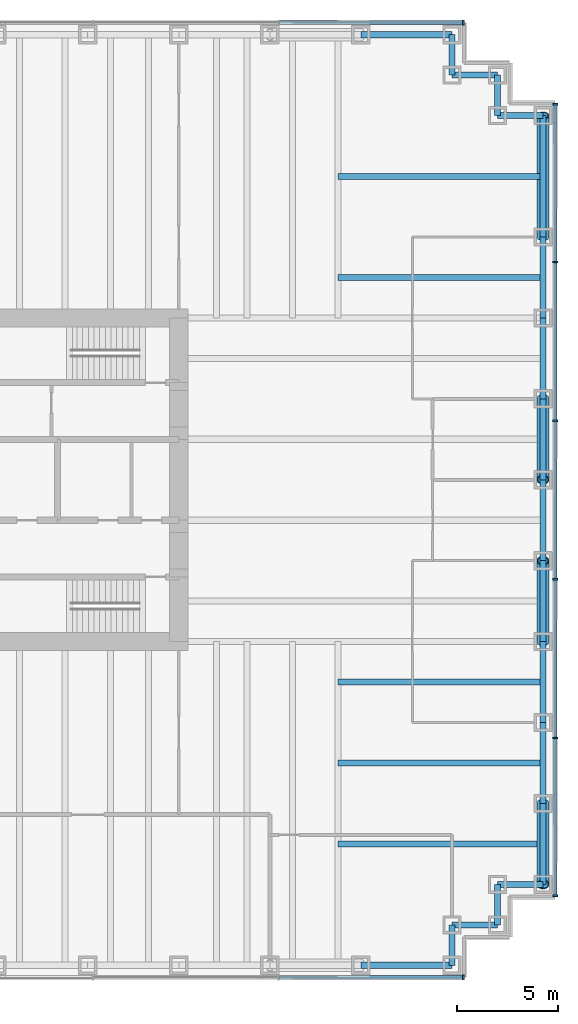
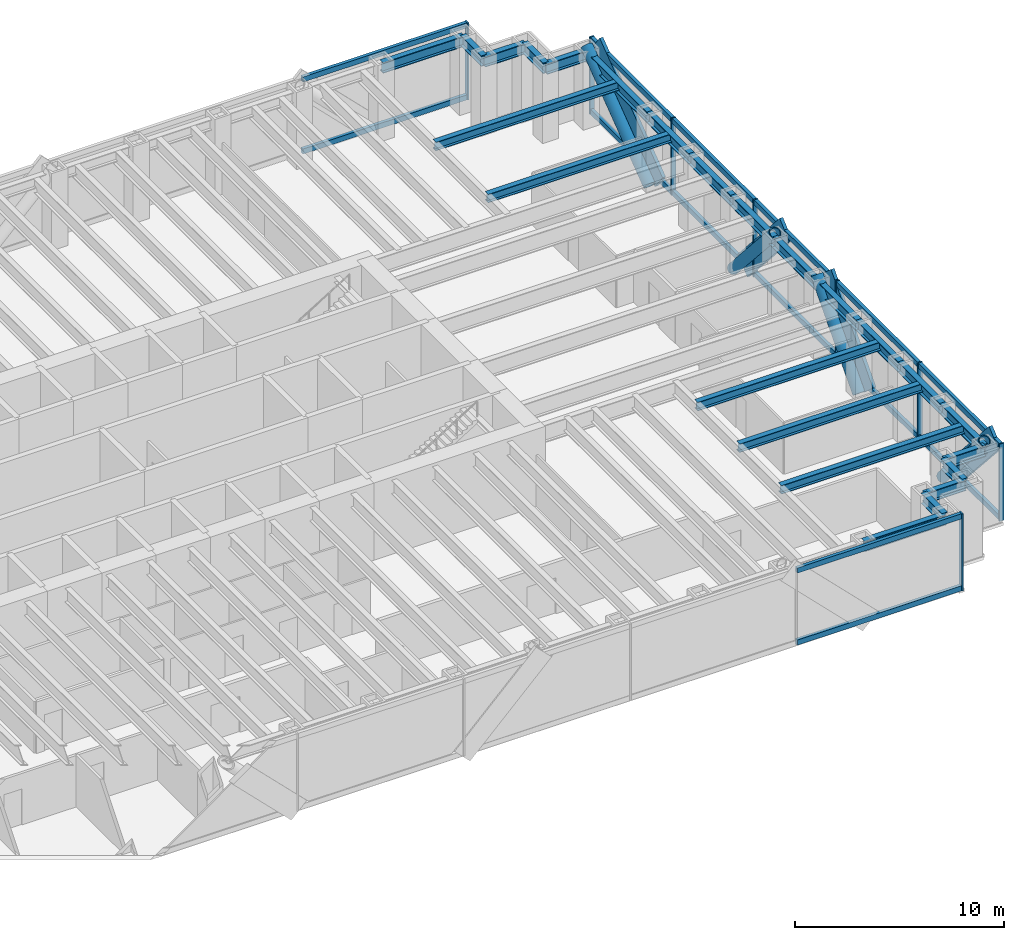
# One storey, part 7 of 13: 30 members, 24 beams, 3 elements without a shape of their own.
"""IFC4 building model written with IfcOpenShell, lengths in metres."""

from ifc_helpers import new_model, si_unit, direction, frame, origin, origin_2d, place, context, subcontext, project, spatial, rectangle, hollow_circle, i_section, extrude, material, material_profile, profile_set, type_object, element, aggregate, save


model = new_model("IFC4")

# Units and contexts
model_context = context("Model", 3, precision=1e-05, world=origin(), true_north=direction((0.0, 1.0)))
body_context = subcontext(model_context, "Body", "Model", "MODEL_VIEW")
ifc_project = project(units=[si_unit("LENGTHUNIT", "METRE"), si_unit("AREAUNIT", "SQUARE_METRE"), si_unit("VOLUMEUNIT", "CUBIC_METRE"), si_unit("PLANEANGLEUNIT", "RADIAN"), si_unit("MASSUNIT", "GRAM", prefix="KILO")], contexts=[model_context])

# Site, building, storey
site_placement = place(None, origin())
site = spatial("IfcSite", under=ifc_project, at=site_placement, CompositionType="ELEMENT")
building_placement = place(site_placement, origin())
building = spatial("IfcBuilding", under=site, at=building_placement, Name="Rheinbord Bourse Tower", CompositionType="ELEMENT")
storey_placement = place(building_placement, frame((0.0, 0.0, 36.5)))
storey = spatial("IfcBuildingStorey", under=building, at=storey_placement, Name="L07", CompositionType="ELEMENT", Elevation=36.5)

# Curtain wall, members
ifc_material_1 = material(Name="Dark glass and black aluminium", Category="aluminium")
curtain_wall_type = type_object("IfcCurtainWallType", Name="CW1 DARK GLASS CURTAIN WALL", PredefinedType="USERDEFINED", material=ifc_material_1)
curtain_wall_1_placement = place(storey_placement, origin())
curtain_wall_1 = element("IfcCurtainWall", 1, at=curtain_wall_1_placement, inside=storey, type_object=curtain_wall_type, Name="Curtain wall CW1 E L07", ObjectType="UNITISED CURTAIN WALL", PredefinedType="USERDEFINED")
ifc_material_2 = material(Name="Black anodised aluminium", Category="aluminium")
ifc_material_profile_1 = material_profile(ifc_material_2, rectangle(XDim=0.179931640625, YDim=1.2099609375, at=origin_2d()), Name="CW1 DIAGONAL MULLION 1210x180")
ifc_profile_set_1 = profile_set([ifc_material_profile_1], Name="Black anodised aluminium")
member_type_1 = type_object("IfcMemberType", Name="CW1 BLACK DIAGONAL MULLION", PredefinedType="USERDEFINED", material=ifc_profile_set_1)
member_1_placement = place(storey_placement, frame((72.60009765625, 36.0, 0.0), z_axis=(0.0, 0.8, 0.6), x_axis=(-1.0, 0.0, 0.0)))
member_1 = element("IfcMember", 2, at=member_1_placement, type_object=member_type_1, Name="CW1 diagonal mullion a", ObjectType="DIAGONAL MULLION", PredefinedType="USERDEFINED", context=body_context, shape_type="SweptSolid", body=[
    extrude(rectangle(XDim=0.179931640625, YDim=1.2099609375, at=origin_2d()), origin(), (0.0, 0.0, 1.0), 7.5),
])
member_2_placement = place(storey_placement, frame((72.60009765625, 8.0, 0.0), z_axis=(0.0, -0.66436383883, 0.747409318684), x_axis=(1.0, 0.0, 0.0)))
member_2 = element("IfcMember", 3, at=member_2_placement, type_object=member_type_1, Name="CW1 diagonal mullion b", ObjectType="DIAGONAL MULLION", PredefinedType="USERDEFINED", context=body_context, shape_type="SweptSolid", body=[
    extrude(rectangle(XDim=0.179931640625, YDim=1.2099609375, at=origin_2d()), origin(), (0.0, 0.0, 1.0), 6.020751953125),
])
member_3_placement = place(storey_placement, frame((72.60009765625, 28.0, 0.0), z_axis=(0.0, -0.66436383883, 0.747409318684), x_axis=(1.0, 0.0, 0.0)))
member_3 = element("IfcMember", 4, at=member_3_placement, type_object=member_type_1, Name="CW1 diagonal mullion c", ObjectType="DIAGONAL MULLION", PredefinedType="USERDEFINED", context=body_context, shape_type="SweptSolid", body=[
    extrude(rectangle(XDim=0.179931640625, YDim=1.2099609375, at=origin_2d()), origin(), (0.0, 0.0, 1.0), 6.020751953125),
])
member_4_placement = place(storey_placement, frame((72.60009765625, 16.0, 0.0), z_axis=(0.0, 0.66436383883, 0.747409318684), x_axis=(-1.0, 0.0, 0.0)))
member_4 = element("IfcMember", 5, at=member_4_placement, type_object=member_type_1, Name="CW1 diagonal mullion d", ObjectType="DIAGONAL MULLION", PredefinedType="USERDEFINED", context=body_context, shape_type="SweptSolid", body=[
    extrude(rectangle(XDim=0.179931640625, YDim=1.2099609375, at=origin_2d()), origin(), (0.0, 0.0, 1.0), 6.020751953125),
])

# Curtain wall, member
curtain_wall_2_placement = place(storey_placement, origin())
curtain_wall_2 = element("IfcCurtainWall", 6, at=curtain_wall_2_placement, inside=storey, type_object=curtain_wall_type, Name="Curtain wall CW1 S L07", ObjectType="UNITISED CURTAIN WALL", PredefinedType="USERDEFINED")
ifc_material_3 = material(Name="Black anodised aluminium", Category="aluminium")
ifc_material_profile_2 = material_profile(ifc_material_3, rectangle(XDim=0.25, YDim=0.080078125, at=origin_2d()), Name="CW1 MULLION 80x250")
ifc_profile_set_2 = profile_set([ifc_material_profile_2], Name="Black anodised aluminium")
member_type_2 = type_object("IfcMemberType", Name="CW1 BLACK MULLION", PredefinedType="MULLION", material=ifc_profile_set_2)
member_5_placement = place(storey_placement, frame((68.06005859375, -0.60009765625, 0.0), z_axis=(0.0, 0.0, 1.0), x_axis=(0.0, 1.0, 0.0)))
member_5 = element("IfcMember", 7, at=member_5_placement, type_object=member_type_2, Name="CW1 mullion 8", PredefinedType="MULLION", context=body_context, shape_type="SweptSolid", body=[
    extrude(rectangle(XDim=0.25, YDim=0.080078125, at=origin_2d()), origin(), (0.0, 0.0, 1.0), 4.5),
])

# Member
member_6_placement = place(storey_placement, frame((72.60009765625, 3.43994140625, 0.0), z_axis=(0.0, 0.0, 1.0), x_axis=(-1.0, 0.0, 0.0)))
member_6 = element("IfcMember", 8, at=member_6_placement, type_object=member_type_2, Name="CW1 mullion 1", PredefinedType="MULLION", context=body_context, shape_type="SweptSolid", body=[
    extrude(rectangle(XDim=0.25, YDim=0.080078125, at=origin_2d()), origin(), (0.0, 0.0, 1.0), 4.5),
])

member_7_placement = place(storey_placement, frame((72.60009765625, 11.239990234375, 0.0), z_axis=(0.0, 0.0, 1.0), x_axis=(-1.0, 0.0, 0.0)))
member_7 = element("IfcMember", 9, at=member_7_placement, type_object=member_type_2, Name="CW1 mullion 2", PredefinedType="MULLION", context=body_context, shape_type="SweptSolid", body=[
    extrude(rectangle(XDim=0.25, YDim=0.080078125, at=origin_2d()), origin(), (0.0, 0.0, 1.0), 4.5),
])

member_8_placement = place(storey_placement, frame((72.60009765625, 19.080078125, 0.0), z_axis=(0.0, 0.0, 1.0), x_axis=(-1.0, 0.0, 0.0)))
member_8 = element("IfcMember", 10, at=member_8_placement, type_object=member_type_2, Name="CW1 mullion 3", PredefinedType="MULLION", context=body_context, shape_type="SweptSolid", body=[
    extrude(rectangle(XDim=0.25, YDim=0.080078125, at=origin_2d()), origin(), (0.0, 0.0, 1.0), 4.5),
])

member_9_placement = place(storey_placement, frame((72.60009765625, 26.919921875, 0.0), z_axis=(0.0, 0.0, 1.0), x_axis=(-1.0, 0.0, 0.0)))
member_9 = element("IfcMember", 11, at=member_9_placement, type_object=member_type_2, Name="CW1 mullion 4", PredefinedType="MULLION", context=body_context, shape_type="SweptSolid", body=[
    extrude(rectangle(XDim=0.25, YDim=0.080078125, at=origin_2d()), origin(), (0.0, 0.0, 1.0), 4.5),
])

member_10_placement = place(storey_placement, frame((72.60009765625, 34.760009765625, 0.0), z_axis=(0.0, 0.0, 1.0), x_axis=(-1.0, 0.0, 0.0)))
member_10 = element("IfcMember", 12, at=member_10_placement, type_object=member_type_2, Name="CW1 mullion 5", PredefinedType="MULLION", context=body_context, shape_type="SweptSolid", body=[
    extrude(rectangle(XDim=0.25, YDim=0.080078125, at=origin_2d()), origin(), (0.0, 0.0, 1.0), 4.5),
])

member_11_placement = place(storey_placement, frame((72.60009765625, 42.56005859375, 0.0), z_axis=(0.0, 0.0, 1.0), x_axis=(-1.0, 0.0, 0.0)))
member_11 = element("IfcMember", 13, at=member_11_placement, type_object=member_type_2, Name="CW1 mullion 6", PredefinedType="MULLION", context=body_context, shape_type="SweptSolid", body=[
    extrude(rectangle(XDim=0.25, YDim=0.080078125, at=origin_2d()), origin(), (0.0, 0.0, 1.0), 4.5),
])

# Curtain wall, member
curtain_wall_3_placement = place(storey_placement, origin())
curtain_wall_3 = element("IfcCurtainWall", 14, at=curtain_wall_3_placement, inside=storey, type_object=curtain_wall_type, Name="Curtain wall CW1 N L07", ObjectType="UNITISED CURTAIN WALL", PredefinedType="USERDEFINED")
member_12_placement = place(storey_placement, frame((68.06005859375, 46.60009765625, 0.0), z_axis=(0.0, 0.0, 1.0), x_axis=(0.0, -1.0, 0.0)))
member_12 = element("IfcMember", 15, at=member_12_placement, type_object=member_type_2, Name="CW1 mullion 1", PredefinedType="MULLION", context=body_context, shape_type="SweptSolid", body=[
    extrude(rectangle(XDim=0.25, YDim=0.080078125, at=origin_2d()), origin(), (0.0, 0.0, 1.0), 4.5),
])

# Member
ifc_material_4 = material(Name="Black anodised aluminium", Category="aluminium")
ifc_material_profile_3 = material_profile(ifc_material_4, rectangle(XDim=0.179931640625, YDim=0.300048828125, at=origin_2d()), Name="CW1 TRANSOM 300x180")
ifc_profile_set_3 = profile_set([ifc_material_profile_3], Name="Black anodised aluminium")
member_type_3 = type_object("IfcMemberType", Name="CW1 BLACK TRANSOM", PredefinedType="USERDEFINED", material=ifc_profile_set_3)
member_13_placement = place(storey_placement, frame((58.968505859375, -0.60009765625, 0.14990234375), z_axis=(1.0, 0.0, 0.0), x_axis=(0.0, 1.0, 0.0)))
member_13 = element("IfcMember", 16, at=member_13_placement, type_object=member_type_3, Name="CW1 transom 7.1", ObjectType="TRANSOM", PredefinedType="USERDEFINED", context=body_context, shape_type="SweptSolid", body=[
    extrude(rectangle(XDim=0.179931640625, YDim=0.300048828125, at=origin_2d()), origin(), (0.0, 0.0, 1.0), 9.051513671875),
])

member_14_placement = place(storey_placement, frame((58.968505859375, -0.60009765625, 4.35009765625), z_axis=(1.0, 0.0, 0.0), x_axis=(0.0, 1.0, 0.0)))
member_14 = element("IfcMember", 17, at=member_14_placement, type_object=member_type_3, Name="CW1 transom 7.2", ObjectType="TRANSOM", PredefinedType="USERDEFINED", context=body_context, shape_type="SweptSolid", body=[
    extrude(rectangle(XDim=0.179931640625, YDim=0.300048828125, at=origin_2d()), origin(), (0.0, 0.0, 1.0), 9.051513671875),
])

aggregate(curtain_wall_2, [member_5, member_13, member_14])

member_15_placement = place(storey_placement, frame((72.60009765625, 3.47998046875, 0.14990234375), z_axis=(0.0, 1.0, 0.0), x_axis=(-1.0, 0.0, 0.0)))
member_15 = element("IfcMember", 18, at=member_15_placement, type_object=member_type_3, Name="CW1 transom 1.1", ObjectType="TRANSOM", PredefinedType="USERDEFINED", context=body_context, shape_type="SweptSolid", body=[
    extrude(rectangle(XDim=0.179931640625, YDim=0.300048828125, at=origin_2d()), origin(), (0.0, 0.0, 1.0), 7.719970703125),
])

member_16_placement = place(storey_placement, frame((72.60009765625, 3.47998046875, 4.35009765625), z_axis=(0.0, 1.0, 0.0), x_axis=(-1.0, 0.0, 0.0)))
member_16 = element("IfcMember", 19, at=member_16_placement, type_object=member_type_3, Name="CW1 transom 1.2", ObjectType="TRANSOM", PredefinedType="USERDEFINED", context=body_context, shape_type="SweptSolid", body=[
    extrude(rectangle(XDim=0.179931640625, YDim=0.300048828125, at=origin_2d()), origin(), (0.0, 0.0, 1.0), 7.719970703125),
])

member_17_placement = place(storey_placement, frame((72.60009765625, 11.280029296875, 0.14990234375), z_axis=(0.0, 1.0, 0.0), x_axis=(-1.0, 0.0, 0.0)))
member_17 = element("IfcMember", 20, at=member_17_placement, type_object=member_type_3, Name="CW1 transom 2.1", ObjectType="TRANSOM", PredefinedType="USERDEFINED", context=body_context, shape_type="SweptSolid", body=[
    extrude(rectangle(XDim=0.179931640625, YDim=0.300048828125, at=origin_2d()), origin(), (0.0, 0.0, 1.0), 7.760009765625),
])

member_18_placement = place(storey_placement, frame((72.60009765625, 11.280029296875, 4.35009765625), z_axis=(0.0, 1.0, 0.0), x_axis=(-1.0, 0.0, 0.0)))
member_18 = element("IfcMember", 21, at=member_18_placement, type_object=member_type_3, Name="CW1 transom 2.2", ObjectType="TRANSOM", PredefinedType="USERDEFINED", context=body_context, shape_type="SweptSolid", body=[
    extrude(rectangle(XDim=0.179931640625, YDim=0.300048828125, at=origin_2d()), origin(), (0.0, 0.0, 1.0), 7.760009765625),
])

member_19_placement = place(storey_placement, frame((72.60009765625, 19.1201171875, 0.14990234375), z_axis=(0.0, 1.0, 0.0), x_axis=(-1.0, 0.0, 0.0)))
member_19 = element("IfcMember", 22, at=member_19_placement, type_object=member_type_3, Name="CW1 transom 3.1", ObjectType="TRANSOM", PredefinedType="USERDEFINED", context=body_context, shape_type="SweptSolid", body=[
    extrude(rectangle(XDim=0.179931640625, YDim=0.300048828125, at=origin_2d()), origin(), (0.0, 0.0, 1.0), 7.759765625),
])

member_20_placement = place(storey_placement, frame((72.60009765625, 19.1201171875, 4.35009765625), z_axis=(0.0, 1.0, 0.0), x_axis=(-1.0, 0.0, 0.0)))
member_20 = element("IfcMember", 23, at=member_20_placement, type_object=member_type_3, Name="CW1 transom 3.2", ObjectType="TRANSOM", PredefinedType="USERDEFINED", context=body_context, shape_type="SweptSolid", body=[
    extrude(rectangle(XDim=0.179931640625, YDim=0.300048828125, at=origin_2d()), origin(), (0.0, 0.0, 1.0), 7.759765625),
])

member_21_placement = place(storey_placement, frame((72.60009765625, 26.9599609375, 0.14990234375), z_axis=(0.0, 1.0, 0.0), x_axis=(-1.0, 0.0, 0.0)))
member_21 = element("IfcMember", 24, at=member_21_placement, type_object=member_type_3, Name="CW1 transom 4.1", ObjectType="TRANSOM", PredefinedType="USERDEFINED", context=body_context, shape_type="SweptSolid", body=[
    extrude(rectangle(XDim=0.179931640625, YDim=0.300048828125, at=origin_2d()), origin(), (0.0, 0.0, 1.0), 7.760009765625),
])

member_22_placement = place(storey_placement, frame((72.60009765625, 26.9599609375, 4.35009765625), z_axis=(0.0, 1.0, 0.0), x_axis=(-1.0, 0.0, 0.0)))
member_22 = element("IfcMember", 25, at=member_22_placement, type_object=member_type_3, Name="CW1 transom 4.2", ObjectType="TRANSOM", PredefinedType="USERDEFINED", context=body_context, shape_type="SweptSolid", body=[
    extrude(rectangle(XDim=0.179931640625, YDim=0.300048828125, at=origin_2d()), origin(), (0.0, 0.0, 1.0), 7.760009765625),
])

member_23_placement = place(storey_placement, frame((72.60009765625, 34.800048828125, 0.14990234375), z_axis=(0.0, 1.0, 0.0), x_axis=(-1.0, 0.0, 0.0)))
member_23 = element("IfcMember", 26, at=member_23_placement, type_object=member_type_3, Name="CW1 transom 5.1", ObjectType="TRANSOM", PredefinedType="USERDEFINED", context=body_context, shape_type="SweptSolid", body=[
    extrude(rectangle(XDim=0.179931640625, YDim=0.300048828125, at=origin_2d()), origin(), (0.0, 0.0, 1.0), 7.719970703125),
])

member_24_placement = place(storey_placement, frame((72.60009765625, 34.800048828125, 4.35009765625), z_axis=(0.0, 1.0, 0.0), x_axis=(-1.0, 0.0, 0.0)))
member_24 = element("IfcMember", 27, at=member_24_placement, type_object=member_type_3, Name="CW1 transom 5.2", ObjectType="TRANSOM", PredefinedType="USERDEFINED", context=body_context, shape_type="SweptSolid", body=[
    extrude(rectangle(XDim=0.179931640625, YDim=0.300048828125, at=origin_2d()), origin(), (0.0, 0.0, 1.0), 7.719970703125),
])

aggregate(curtain_wall_1, [member_6, member_7, member_8, member_9, member_10, member_11, member_15, member_16, member_17, member_18, member_19, member_20, member_21, member_22, member_23, member_24, member_1, member_2, member_3, member_4])

member_25_placement = place(storey_placement, frame((68.02001953125, 46.60009765625, 0.14990234375), z_axis=(-1.0, 0.0, 0.0), x_axis=(0.0, -1.0, 0.0)))
member_25 = element("IfcMember", 28, at=member_25_placement, type_object=member_type_3, Name="CW1 transom 1.1", ObjectType="TRANSOM", PredefinedType="USERDEFINED", context=body_context, shape_type="SweptSolid", body=[
    extrude(rectangle(XDim=0.179931640625, YDim=0.300048828125, at=origin_2d()), origin(), (0.0, 0.0, 1.0), 9.051513671875),
])

member_26_placement = place(storey_placement, frame((68.02001953125, 46.60009765625, 4.35009765625), z_axis=(-1.0, 0.0, 0.0), x_axis=(0.0, -1.0, 0.0)))
member_26 = element("IfcMember", 29, at=member_26_placement, type_object=member_type_3, Name="CW1 transom 1.2", ObjectType="TRANSOM", PredefinedType="USERDEFINED", context=body_context, shape_type="SweptSolid", body=[
    extrude(rectangle(XDim=0.179931640625, YDim=0.300048828125, at=origin_2d()), origin(), (0.0, 0.0, 1.0), 9.051513671875),
])

aggregate(curtain_wall_3, [member_12, member_25, member_26])

# Members
ifc_material_5 = material(Name="Steel S460", Category="steel")
ifc_material_profile_4 = material_profile(ifc_material_5, hollow_circle(Radius=0.304931640625, WallThickness=0.050048828125, at=origin_2d()), Name="CHS 610x50")
ifc_profile_set_4 = profile_set([ifc_material_profile_4], Name="Steel S460")
member_type_4 = type_object("IfcMemberType", Name="MEGABRACE CHS 610x50", PredefinedType="BRACE", material=ifc_profile_set_4)
member_27_placement = place(storey_placement, frame((72.0, 36.0, 0.0), z_axis=(0.0, 0.8, 0.6), x_axis=(-1.0, 0.0, 0.0)))
element("IfcMember", 30, at=member_27_placement, inside=storey, type_object=member_type_4, Name="Megabrace E face line a L07", PredefinedType="BRACE", context=body_context, shape_type="SweptSolid", body=[
    extrude(hollow_circle(Radius=0.304931640625, WallThickness=0.050048828125, at=origin_2d()), origin(), (0.0, 0.0, 1.0), 7.5),
])
for number, where, z_axis, x_axis, name in (
    (31, (72.0, 8.0, 0.0), (0.0, -0.66436383883, 0.747409318684), (1.0, 0.0, 0.0), "Megabrace E face line b L07"),
    (32, (72.0, 28.0, 0.0), (0.0, -0.66436383883, 0.747409318684), (1.0, 0.0, 0.0), "Megabrace E face line c L07"),
    (33, (72.0, 16.0, 0.0), (0.0, 0.66436383883, 0.747409318684), (-1.0, 0.0, 0.0), "Megabrace E face line d L07"),
):
    element("IfcMember", number, at=place(storey_placement, frame(where, z_axis=z_axis, x_axis=x_axis)), inside=storey, type_object=member_type_4, Name=name, PredefinedType="BRACE", context=body_context, shape_type="SweptSolid", body=[
        extrude(hollow_circle(Radius=0.304931640625, WallThickness=0.050048828125, at=origin_2d()), origin(), (0.0, 0.0, 1.0), 6.020751953125),
    ])

# Beams
ifc_material_6 = material(Name="Steel S460", Category="steel")
ifc_material_profile_5 = material_profile(ifc_material_6, i_section(OverallWidth=0.304931640625, OverallDepth=0.6201171875, WebThickness=0.02099609375, FlangeThickness=0.0400390625, at=origin_2d()), Name="HEM 600")
ifc_profile_set_5 = profile_set([ifc_material_profile_5], Name="Steel S460")
beam_type_1 = type_object("IfcBeamType", Name="SPANDREL HEM 600", PredefinedType="SPANDREL", material=ifc_profile_set_5)
beam_1_placement = place(storey_placement, frame((63.0, 0.0, 4.010009765625), z_axis=(1.0, 0.0, 0.0), x_axis=(0.0, 1.0, 0.0)))
element("IfcBeam", 34, at=beam_1_placement, inside=storey, type_object=beam_type_1, Name="Spandrel S-63-SE-E under L08", PredefinedType="SPANDREL", context=body_context, shape_type="SweptSolid", body=[
    extrude(i_section(OverallWidth=0.304931640625, OverallDepth=0.6201171875, WebThickness=0.02099609375, FlangeThickness=0.0400390625, at=origin_2d()), origin(), (0.0, 0.0, 1.0), 4.5),
])
beam_2_placement = place(storey_placement, frame((67.5, 0.0, 4.010009765625), z_axis=(0.0, 1.0, 0.0), x_axis=(-1.0, 0.0, 0.0)))
element("IfcBeam", 35, at=beam_2_placement, inside=storey, type_object=beam_type_1, Name="Spandrel SE-E-SE-D under L08", PredefinedType="SPANDREL", context=body_context, shape_type="SweptSolid", body=[
    extrude(i_section(OverallWidth=0.304931640625, OverallDepth=0.6201171875, WebThickness=0.02099609375, FlangeThickness=0.0400390625, at=origin_2d()), origin(), (0.0, 0.0, 1.0), 2.0),
])
beam_3_placement = place(storey_placement, frame((67.5, 2.0, 4.010009765625), z_axis=(1.0, 0.0, 0.0), x_axis=(0.0, 1.0, 0.0)))
element("IfcBeam", 36, at=beam_3_placement, inside=storey, type_object=beam_type_1, Name="Spandrel SE-D-SE-C under L08", PredefinedType="SPANDREL", context=body_context, shape_type="SweptSolid", body=[
    extrude(i_section(OverallWidth=0.304931640625, OverallDepth=0.6201171875, WebThickness=0.02099609375, FlangeThickness=0.0400390625, at=origin_2d()), origin(), (0.0, 0.0, 1.0), 2.25),
])
beam_4_placement = place(storey_placement, frame((69.75, 2.0, 4.010009765625), z_axis=(0.0, 1.0, 0.0), x_axis=(-1.0, 0.0, 0.0)))
element("IfcBeam", 37, at=beam_4_placement, inside=storey, type_object=beam_type_1, Name="Spandrel SE-C-SE-B under L08", PredefinedType="SPANDREL", context=body_context, shape_type="SweptSolid", body=[
    extrude(i_section(OverallWidth=0.304931640625, OverallDepth=0.6201171875, WebThickness=0.02099609375, FlangeThickness=0.0400390625, at=origin_2d()), origin(), (0.0, 0.0, 1.0), 2.0),
])
beam_5_placement = place(storey_placement, frame((69.75, 4.0, 4.010009765625), z_axis=(1.0, 0.0, 0.0), x_axis=(0.0, 1.0, 0.0)))
element("IfcBeam", 38, at=beam_5_placement, inside=storey, type_object=beam_type_1, Name="Spandrel SE-B-SE-A under L08", PredefinedType="SPANDREL", context=body_context, shape_type="SweptSolid", body=[
    extrude(i_section(OverallWidth=0.304931640625, OverallDepth=0.6201171875, WebThickness=0.02099609375, FlangeThickness=0.0400390625, at=origin_2d()), origin(), (0.0, 0.0, 1.0), 2.25),
])
for number, where, z_axis, x_axis, name in (
    (39, (72.0, 4.0, 4.010009765625), (0.0, 1.0, 0.0), (-1.0, 0.0, 0.0), "Spandrel SE-A-E-8 under L08"),
    (40, (72.0, 8.0, 4.010009765625), (0.0, 1.0, 0.0), (-1.0, 0.0, 0.0), "Spandrel E-8-E-12 under L08"),
    (41, (72.0, 12.0, 4.010009765625), (0.0, 1.0, 0.0), (-1.0, 0.0, 0.0), "Spandrel E-12-E-16 under L08"),
    (42, (72.0, 16.0, 4.010009765625), (0.0, 1.0, 0.0), (-1.0, 0.0, 0.0), "Spandrel E-16-E-20 under L08"),
    (43, (72.0, 20.0, 4.010009765625), (0.0, 1.0, 0.0), (-1.0, 0.0, 0.0), "Spandrel E-20-E-24 under L08"),
    (44, (72.0, 24.0, 4.010009765625), (0.0, 1.0, 0.0), (-1.0, 0.0, 0.0), "Spandrel E-24-E-28 under L08"),
    (45, (72.0, 28.0, 4.010009765625), (0.0, 1.0, 0.0), (-1.0, 0.0, 0.0), "Spandrel E-28-E-32 under L08"),
    (46, (72.0, 32.0, 4.010009765625), (0.0, 1.0, 0.0), (-1.0, 0.0, 0.0), "Spandrel E-32-E-36 under L08"),
):
    element("IfcBeam", number, at=place(storey_placement, frame(where, z_axis=z_axis, x_axis=x_axis)), inside=storey, type_object=beam_type_1, Name=name, PredefinedType="SPANDREL", context=body_context, shape_type="SweptSolid", body=[
        extrude(i_section(OverallWidth=0.304931640625, OverallDepth=0.6201171875, WebThickness=0.02099609375, FlangeThickness=0.0400390625, at=origin_2d()), origin(), (0.0, 0.0, 1.0), 4.0),
    ])
beam_6_placement = place(storey_placement, frame((72.0, 36.0, 4.010009765625), z_axis=(0.0, 1.0, 0.0), x_axis=(-1.0, 0.0, 0.0)))
element("IfcBeam", 47, at=beam_6_placement, inside=storey, type_object=beam_type_1, Name="Spandrel E-36-NE-A under L08", PredefinedType="SPANDREL", context=body_context, shape_type="SweptSolid", body=[
    extrude(i_section(OverallWidth=0.304931640625, OverallDepth=0.6201171875, WebThickness=0.02099609375, FlangeThickness=0.0400390625, at=origin_2d()), origin(), (0.0, 0.0, 1.0), 6.0),
])
beam_7_placement = place(storey_placement, frame((72.0, 42.0, 4.010009765625), z_axis=(-1.0, 0.0, 0.0), x_axis=(0.0, -1.0, 0.0)))
element("IfcBeam", 48, at=beam_7_placement, inside=storey, type_object=beam_type_1, Name="Spandrel NE-A-NE-B under L08", PredefinedType="SPANDREL", context=body_context, shape_type="SweptSolid", body=[
    extrude(i_section(OverallWidth=0.304931640625, OverallDepth=0.6201171875, WebThickness=0.02099609375, FlangeThickness=0.0400390625, at=origin_2d()), origin(), (0.0, 0.0, 1.0), 2.25),
])
beam_8_placement = place(storey_placement, frame((69.75, 42.0, 4.010009765625), z_axis=(0.0, 1.0, 0.0), x_axis=(-1.0, 0.0, 0.0)))
element("IfcBeam", 49, at=beam_8_placement, inside=storey, type_object=beam_type_1, Name="Spandrel NE-B-NE-C under L08", PredefinedType="SPANDREL", context=body_context, shape_type="SweptSolid", body=[
    extrude(i_section(OverallWidth=0.304931640625, OverallDepth=0.6201171875, WebThickness=0.02099609375, FlangeThickness=0.0400390625, at=origin_2d()), origin(), (0.0, 0.0, 1.0), 2.0),
])
beam_9_placement = place(storey_placement, frame((69.75, 44.0, 4.010009765625), z_axis=(-1.0, 0.0, 0.0), x_axis=(0.0, -1.0, 0.0)))
element("IfcBeam", 50, at=beam_9_placement, inside=storey, type_object=beam_type_1, Name="Spandrel NE-C-NE-D under L08", PredefinedType="SPANDREL", context=body_context, shape_type="SweptSolid", body=[
    extrude(i_section(OverallWidth=0.304931640625, OverallDepth=0.6201171875, WebThickness=0.02099609375, FlangeThickness=0.0400390625, at=origin_2d()), origin(), (0.0, 0.0, 1.0), 2.25),
])
beam_10_placement = place(storey_placement, frame((67.5, 44.0, 4.010009765625), z_axis=(0.0, 1.0, 0.0), x_axis=(-1.0, 0.0, 0.0)))
element("IfcBeam", 51, at=beam_10_placement, inside=storey, type_object=beam_type_1, Name="Spandrel NE-D-NE-E under L08", PredefinedType="SPANDREL", context=body_context, shape_type="SweptSolid", body=[
    extrude(i_section(OverallWidth=0.304931640625, OverallDepth=0.6201171875, WebThickness=0.02099609375, FlangeThickness=0.0400390625, at=origin_2d()), origin(), (0.0, 0.0, 1.0), 2.0),
])
beam_11_placement = place(storey_placement, frame((67.5, 46.0, 4.010009765625), z_axis=(-1.0, 0.0, 0.0), x_axis=(0.0, -1.0, 0.0)))
element("IfcBeam", 52, at=beam_11_placement, inside=storey, type_object=beam_type_1, Name="Spandrel NE-E-N-63 under L08", PredefinedType="SPANDREL", context=body_context, shape_type="SweptSolid", body=[
    extrude(i_section(OverallWidth=0.304931640625, OverallDepth=0.6201171875, WebThickness=0.02099609375, FlangeThickness=0.0400390625, at=origin_2d()), origin(), (0.0, 0.0, 1.0), 4.5),
])
ifc_material_7 = material(Name="Steel S460", Category="steel")
ifc_material_profile_6 = material_profile(ifc_material_7, i_section(OverallWidth=0.300048828125, OverallDepth=0.5, WebThickness=0.014404296875, FlangeThickness=0.028076171875, at=origin_2d()), Name="HEB 500")
ifc_profile_set_6 = profile_set([ifc_material_profile_6], Name="Steel S460")
beam_type_2 = type_object("IfcBeamType", Name="TIE BEAM HEB 500", PredefinedType="JOIST", material=ifc_profile_set_6)
for number, where, z_axis, x_axis, name in (
    (53, (61.875, 6.0, 4.070068359375), (1.0, 0.0, 0.0), (0.0, 1.0, 0.0), "Tie east 6 L08"),
    (54, (61.875, 10.0, 4.070068359375), (1.0, 0.0, 0.0), (0.0, 1.0, 0.0), "Tie east 10 L08"),
    (55, (61.875, 14.0, 4.070068359375), (1.0, 0.0, 0.0), (0.0, 1.0, 0.0), "Tie east 14 L08"),
    (56, (61.875, 34.0, 4.070068359375), (1.0, 0.0, 0.0), (0.0, 1.0, 0.0), "Tie east 34 L08"),
    (57, (61.875, 39.0, 4.070068359375), (1.0, 0.0, 0.0), (0.0, 1.0, 0.0), "Tie east 39 L08"),
):
    element("IfcBeam", number, at=place(storey_placement, frame(where, z_axis=z_axis, x_axis=x_axis)), inside=storey, type_object=beam_type_2, Name=name, PredefinedType="JOIST", context=body_context, shape_type="SweptSolid", body=[
        extrude(i_section(OverallWidth=0.300048828125, OverallDepth=0.5, WebThickness=0.014404296875, FlangeThickness=0.028076171875, at=origin_2d()), origin(), (0.0, 0.0, 1.0), 10.125),
    ])

save(model, "model.ifc")
